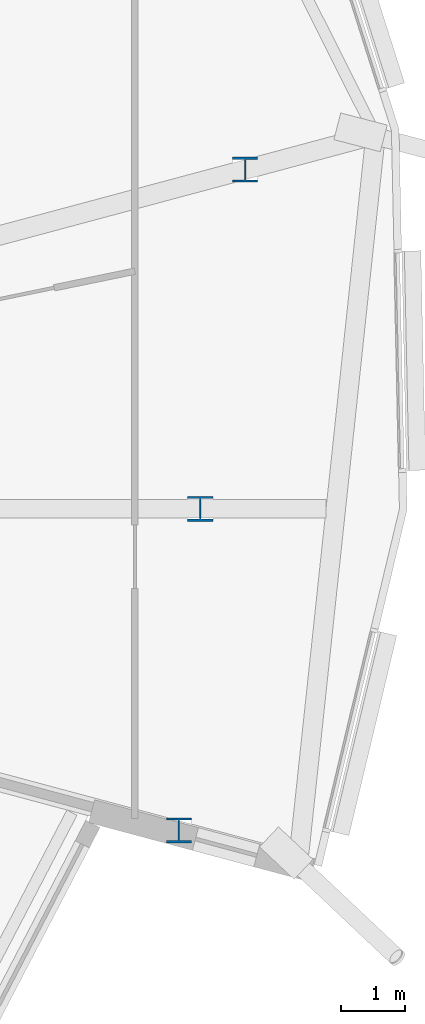
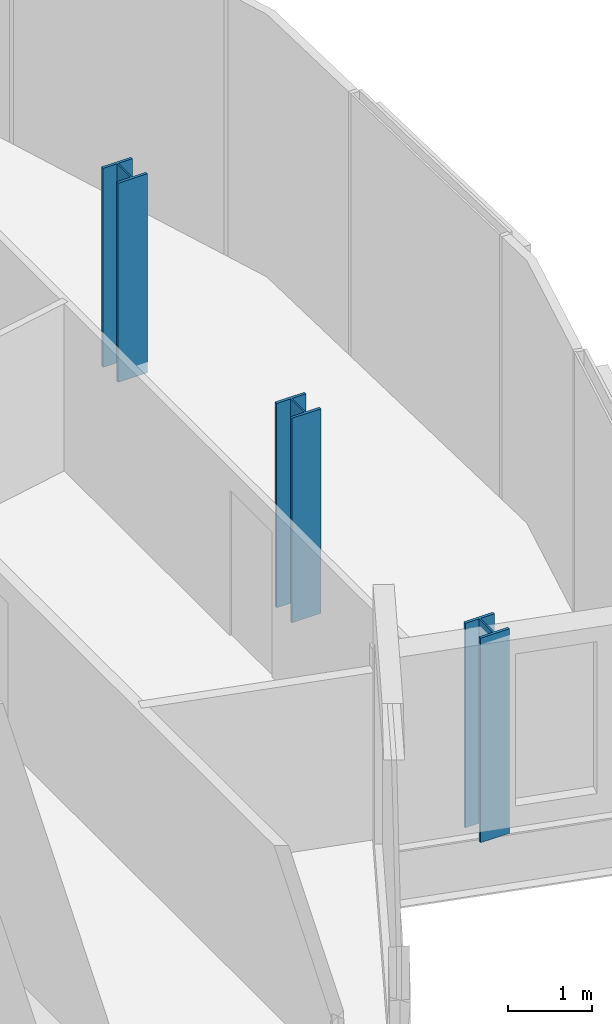
# One storey, part 2 of 43: 3 columns.
"""IFC4 building model written with IfcOpenShell, lengths in metres."""

from ifc_helpers import new_model, si_unit, direction, frame, origin, origin_2d, place, context, subcontext, project, spatial, i_section, extrude, material, material_profile, profile_set, type_object, element, save


model = new_model("IFC4")

# Units and contexts
model_context = context("Model", 3, precision=1e-05, world=origin(), true_north=direction((0.0, 1.0)))
body_context = subcontext(model_context, "Body", "Model", "MODEL_VIEW")
ifc_project = project(units=[si_unit("LENGTHUNIT", "METRE"), si_unit("AREAUNIT", "SQUARE_METRE"), si_unit("VOLUMEUNIT", "CUBIC_METRE"), si_unit("PLANEANGLEUNIT", "RADIAN"), si_unit("MASSUNIT", "GRAM", prefix="KILO")], contexts=[model_context])

# Site, building, storey
site_placement = place(None, origin())
site = spatial("IfcSite", under=ifc_project, at=site_placement, CompositionType="ELEMENT")
building_placement = place(site_placement, origin())
building = spatial("IfcBuilding", under=site, at=building_placement, Name="Rimbun Link Towers", CompositionType="ELEMENT")
storey_placement = place(building_placement, frame((0.0, 0.0, 81.60009765625)))
storey = spatial("IfcBuildingStorey", under=building, at=storey_placement, Name="L19", CompositionType="ELEMENT", Elevation=81.60009765625)

# Columns
ifc_material = material(Name="Steel S355J2", Category="steel")
ifc_material_profile = material_profile(ifc_material, i_section(OverallWidth=0.39892578125, OverallDepth=0.3935546875, WebThickness=0.022705078125, FlangeThickness=0.03662109375, at=origin_2d()), Name="UC 356x406x287")
ifc_profile_set = profile_set([ifc_material_profile], Name="Steel S355J2")
column_type = type_object("IfcColumnType", Name="UC 356x406x287", PredefinedType="COLUMN", material=ifc_profile_set)
for number, where, z_axis, x_axis, name in (
    (1, (50.6123046875, -5.05419921875, -0.16015625), (0.0, 0.0, 1.0), (1.0, 0.0, 0.0), "Crease post T2 L19 20"),
    (2, (50.94921875, 0.0, -0.16015625), (0.0, 0.0, 1.0), (1.0, 0.0, 0.0), "Crease post T2 L19 21"),
):
    element("IfcColumn", number, at=place(storey_placement, frame(where, z_axis=z_axis, x_axis=x_axis)), inside=storey, type_object=column_type, Name=name, PredefinedType="COLUMN", context=body_context, shape_type="SweptSolid", body=[
        extrude(i_section(OverallWidth=0.39892578125, OverallDepth=0.3935546875, WebThickness=0.022705078125, FlangeThickness=0.03662109375, at=origin_2d()), origin(), (0.0, 0.0, 1.0), 2.95947265625),
    ])
column_placement = place(storey_placement, frame((51.65185546875, 5.332763671875, -0.16015625), z_axis=(0.0, 0.0, 1.0), x_axis=(1.0, 0.0, 0.0)))
element("IfcColumn", 3, at=column_placement, inside=storey, type_object=column_type, Name="Crease post T2 L19 22", PredefinedType="COLUMN", context=body_context, shape_type="SweptSolid", body=[
    extrude(i_section(OverallWidth=0.39892578125, OverallDepth=0.3935546875, WebThickness=0.022705078125, FlangeThickness=0.03662109375, at=origin_2d()), origin(), (0.0, 0.0, 1.0), 2.881591796875),
])

save(model, "model.ifc")
